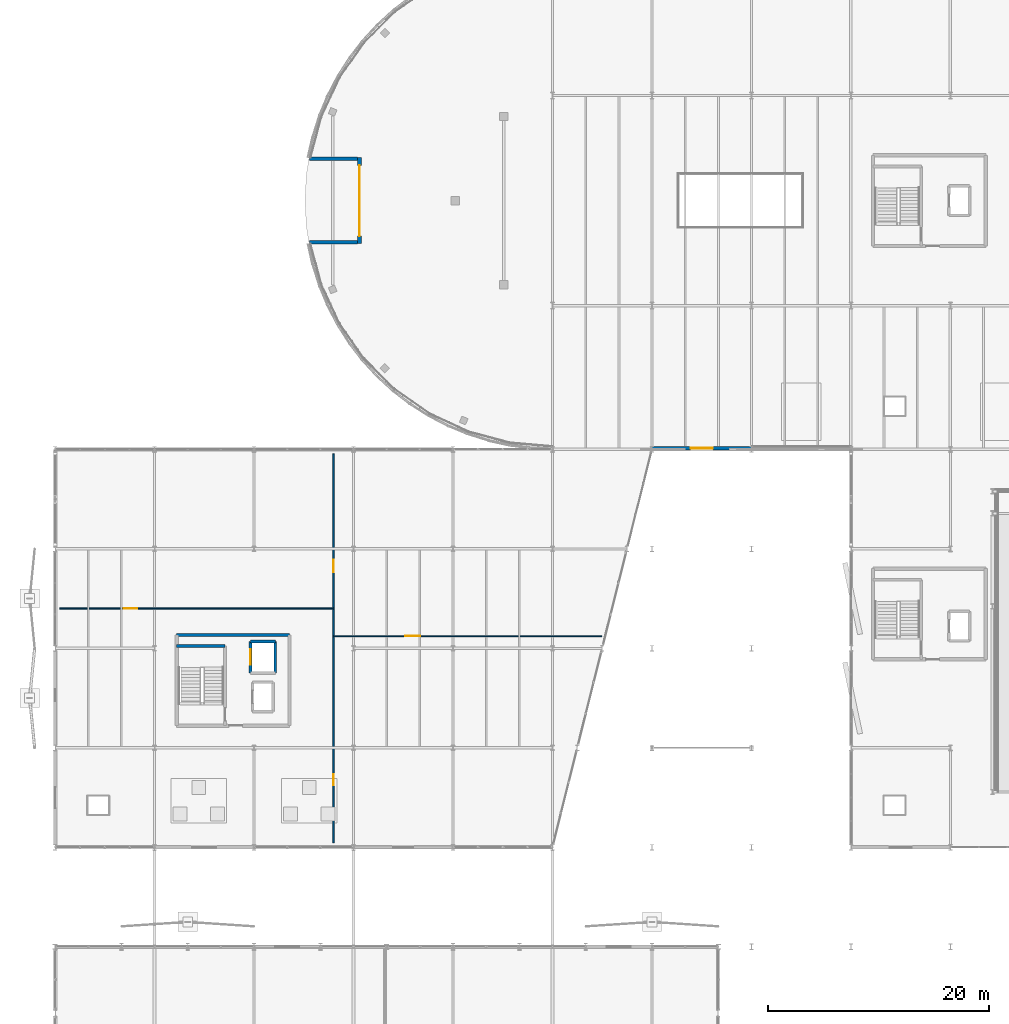
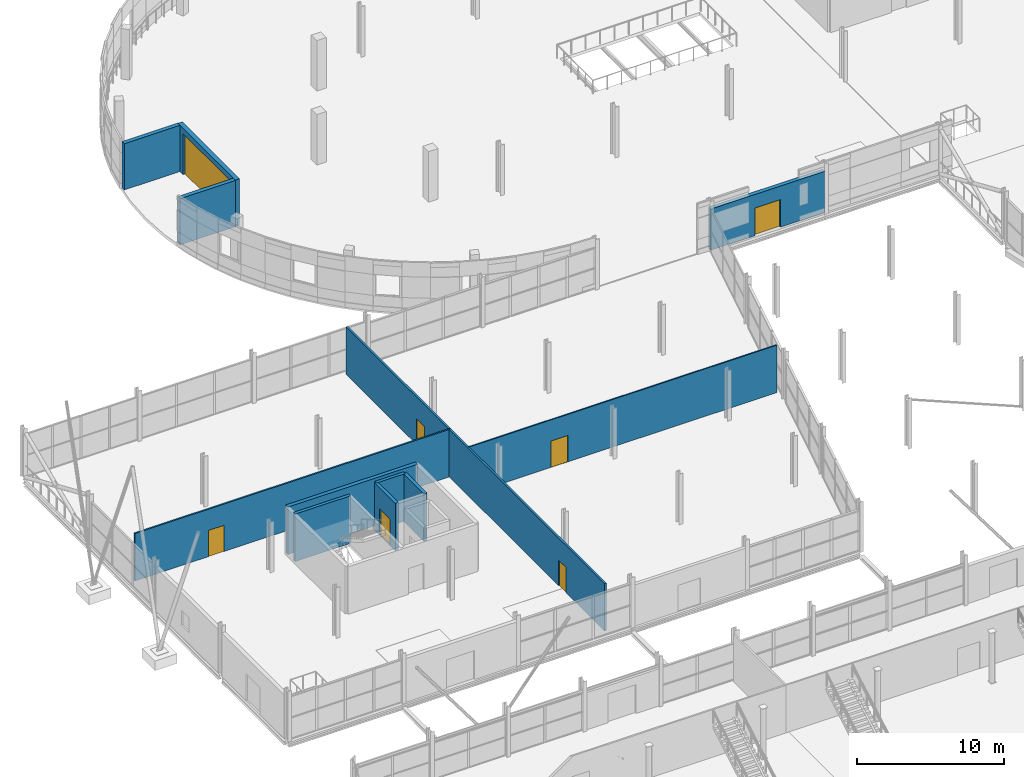
# One storey, part 121 of 140: 12 walls, 7 doors, 7 openings.
"""IFC4 building model written with IfcOpenShell, lengths in metres."""

from ifc_helpers import new_model, si_unit, direction, frame, frame_2d, origin, place, context, subcontext, project, spatial, rectangle, extrude, material, layer, layer_set, type_object, element, fill, save


model = new_model("IFC4")

# Units and contexts
model_context = context("Model", 3, precision=1e-05, world=origin(), true_north=direction((0.0, 1.0)))
body_context = subcontext(model_context, "Body", "Model", "MODEL_VIEW")
ifc_project = project(units=[si_unit("LENGTHUNIT", "METRE"), si_unit("AREAUNIT", "SQUARE_METRE"), si_unit("VOLUMEUNIT", "CUBIC_METRE"), si_unit("PLANEANGLEUNIT", "RADIAN"), si_unit("MASSUNIT", "GRAM", prefix="KILO")], contexts=[model_context])

# Site, building, storey
site_placement = place(None, origin())
site = spatial("IfcSite", under=ifc_project, at=site_placement, CompositionType="ELEMENT")
building_placement = place(site_placement, origin())
building = spatial("IfcBuilding", under=site, at=building_placement, Name="Deido Ridge Mobility Hub", CompositionType="ELEMENT")
storey_placement = place(building_placement, origin())
storey = spatial("IfcBuildingStorey", under=building, at=storey_placement, Name="L00", CompositionType="ELEMENT", Elevation=0.0)

# Walls
ifc_material_1 = material(Name="Fired clay brick masonry", Category="masonry")
ifc_layer_1 = layer(ifc_material_1, 0.31005859375, Name="Fired clay brick masonry")
ifc_layer_set_1 = layer_set([ifc_layer_1], Name="Fired clay brick masonry")
wall_type_1 = type_object("IfcWallType", Name="WL-EXT-BRK-310", PredefinedType="STANDARD", material=ifc_layer_set_1)
for number, where, z_axis, x_axis, name in (
    (1, (23.0, 99.719970703125, 0.0), (0.0, 0.0, 1.0), (1.0, 0.0, 0.0), "West portal vestibule cheek wall"),
    (2, (23.0, 107.280029296875, 0.0), (0.0, 0.0, 1.0), (1.0, 0.0, 0.0), "West portal vestibule cheek wall"),
):
    element("IfcWall", number, at=place(storey_placement, frame(where, z_axis=z_axis, x_axis=x_axis)), inside=storey, type_object=wall_type_1, Name=name, PredefinedType="STANDARD", context=body_context, shape_type="SweptSolid", body=[
        extrude(rectangle(XDim=4.3798828125, YDim=0.31005859375, at=frame_2d((2.18994140625, 0.0))), origin(), (0.0, 0.0, 1.0), 3.85009765625),
    ])

# Wall, opening, door
wall_1_placement = place(storey_placement, frame((54.0, 81.10009765625, 0.0), z_axis=(0.0, 0.0, 1.0), x_axis=(1.0, 0.0, 0.0)))
wall_1 = element("IfcWall", 3, at=wall_1_placement, inside=storey, type_object=wall_type_1, Name="Exterior wall EW1", PredefinedType="STANDARD", context=body_context, shape_type="SweptSolid", body=[
    extrude(rectangle(XDim=9.0, YDim=0.31005859375, at=frame_2d((4.5, 0.0))), origin(), (0.0, 0.0, 1.0), 3.425048828125),
])
opening_1_placement = place(wall_1_placement, frame((3.5, 0.0, 0.0)))
opening_1 = element("IfcOpeningElement", 4, at=opening_1_placement, cuts=wall_1, Name="Opening E6", PredefinedType="OPENING", context=body_context, shape_type="SweptSolid", body=[
    extrude(rectangle(XDim=2.0, YDim=2.300048828125, at=frame_2d((1.0, 1.14990234375))), frame((0.0, 0.1650390625, 0.0), z_axis=(0.0, -1.0, 0.0), x_axis=(1.0, 0.0, 0.0)), (0.0, 0.0, 1.0), 0.330078125),
])
ifc_material_2 = material(Name="Anodised aluminium EN AW-6063 T6", Category="aluminium")
door_type_1 = type_object("IfcDoorType", Name="DR-EXT-2000X2300", OperationType="DOUBLE_DOOR_SINGLE_SWING", PredefinedType="DOOR", material=ifc_material_2)
door_1_placement = place(opening_1_placement, frame((2.0, 0.0, 0.0), z_axis=(0.0, 0.0, 1.0), x_axis=(-1.0, 0.0, 0.0)))
door_1 = element("IfcDoor", 5, at=door_1_placement, inside=storey, type_object=door_type_1, Name="DR-E0013 Final exit door E6", OperationType="DOUBLE_DOOR_SINGLE_SWING", OverallHeight=2.300048828125, OverallWidth=2.0, PredefinedType="DOOR", context=body_context, shape_type="SweptSolid", body=[
    extrude(rectangle(XDim=2.0, YDim=2.300048828125, at=frame_2d((1.0, 1.14990234375))), frame((0.0, 0.02490234375, 0.0), z_axis=(0.0, -1.0, 0.0), x_axis=(1.0, 0.0, 0.0)), (0.0, 0.0, 1.0), 0.050048828125),
])
fill(opening_1, door_1)

ifc_material_3 = material(Name="Concrete C35/45", Category="concrete")
ifc_layer_2 = layer(ifc_material_3, 0.340087890625, Name="Concrete C35/45")
ifc_layer_set_2 = layer_set([ifc_layer_2], Name="Concrete C35/45")
wall_type_2 = type_object("IfcWallType", Name="WL-EXT-RC-340", PredefinedType="STANDARD", material=ifc_layer_set_2)
wall_2_placement = place(storey_placement, frame((27.550048828125, 99.60009765625, 0.0), z_axis=(0.0, 0.0, 1.0), x_axis=(0.0, 1.0, 0.0)))
wall_2 = element("IfcWall", 6, at=wall_2_placement, inside=storey, type_object=wall_type_2, Name="West arched portal throat wall", PredefinedType="STANDARD", context=body_context, shape_type="SweptSolid", body=[
    extrude(rectangle(XDim=7.7998046875, YDim=0.340087890625, at=frame_2d((3.89990234375, 0.0))), origin(), (0.0, 0.0, 1.0), 3.85009765625),
])
opening_2_placement = place(wall_2_placement, frame((0.699951171875, 0.0, 0.0)))
opening_2 = element("IfcOpeningElement", 7, at=opening_2_placement, cuts=wall_2, Name="Opening VG1", PredefinedType="OPENING", context=body_context, shape_type="SweptSolid", body=[
    extrude(rectangle(XDim=6.39990234375, YDim=3.39990234375, at=frame_2d((3.199951171875, 1.699951171875))), frame((0.0, 0.18017578125, 0.0), z_axis=(0.0, -1.0, 0.0), x_axis=(1.0, 0.0, 0.0)), (0.0, 0.0, 1.0), 0.360107421875),
])
ifc_material_4 = material(Name="Galvanised steel work", Category="steel")
door_type_2 = type_object("IfcDoorType", Name="DR-VEH-6400X3400", OperationType="ROLLINGUP", PredefinedType="USERDEFINED", material=ifc_material_4)
door_2_placement = place(opening_2_placement, origin())
door_2 = element("IfcDoor", 8, at=door_2_placement, inside=storey, type_object=door_type_2, Name="DR-E0011 West vehicle entrance roller shutter VG1", ObjectType="VEHICLE SHUTTER", OperationType="ROLLINGUP", OverallHeight=3.39990234375, OverallWidth=6.39990234375, PredefinedType="USERDEFINED", context=body_context, shape_type="SweptSolid", body=[
    extrude(rectangle(XDim=6.39990234375, YDim=3.39990234375, at=frame_2d((3.199951171875, 1.699951171875))), frame((0.0, 0.02490234375, 0.0), z_axis=(0.0, -1.0, 0.0), x_axis=(1.0, 0.0, 0.0)), (0.0, 0.0, 1.0), 0.050048828125),
])
fill(opening_2, door_2)

ifc_material_5 = material(Name="Concrete blockwork masonry", Category="masonry")
ifc_layer_3 = layer(ifc_material_5, 0.10009765625, Name="Concrete blockwork masonry")
ifc_layer_set_3 = layer_set([ifc_layer_3], Name="Concrete blockwork masonry")
wall_type_3 = type_object("IfcWallType", Name="WL-PRT-BLK-100", PredefinedType="PARTITIONING", material=ifc_layer_set_3)
wall_3_placement = place(storey_placement, frame((25.199951171875, 64.10009765625, 0.0), z_axis=(0.0, 0.0, 1.0), x_axis=(1.0, 0.0, 0.0)))
wall_3 = element("IfcWall", 9, at=wall_3_placement, inside=storey, type_object=wall_type_3, Name="V5 east cross partition (L00)", PredefinedType="PARTITIONING", context=body_context, shape_type="SweptSolid", body=[
    extrude(rectangle(XDim=24.275146484375, YDim=0.10009765625, at=frame_2d((12.1376953125, 0.0))), origin(), (0.0, 0.0, 1.0), 3.949951171875),
])
opening_3_placement = place(wall_3_placement, frame((6.5, 0.0, 0.0)))
opening_3 = element("IfcOpeningElement", 10, at=opening_3_placement, cuts=wall_3, Name="Opening DR-L00-206", PredefinedType="OPENING", context=body_context, shape_type="SweptSolid", body=[
    extrude(rectangle(XDim=1.320068359375, YDim=2.199951171875, at=frame_2d((0.66015625, 1.10009765625))), frame((0.0, 0.06005859375, 0.0), z_axis=(0.0, -1.0, 0.0), x_axis=(1.0, 0.0, 0.0)), (0.0, 0.0, 1.0), 0.1201171875),
])
ifc_material_6 = material(Name="Treated tropical hardwood timber D40", Category="wood")
door_type_3 = type_object("IfcDoorType", Name="DR-INT-1320X2200", OperationType="NOTDEFINED", PredefinedType="DOOR", material=ifc_material_6)
door_3_placement = place(opening_3_placement, origin())
door_3 = element("IfcDoor", 11, at=door_3_placement, inside=storey, type_object=door_type_3, Name="DR-I0206 V5 east cross door (L00)", OperationType="SINGLE_SWING_LEFT", OverallHeight=2.199951171875, OverallWidth=1.320068359375, PredefinedType="DOOR", context=body_context, shape_type="SweptSolid", body=[
    extrude(rectangle(XDim=1.320068359375, YDim=2.199951171875, at=frame_2d((0.66015625, 1.10009765625))), frame((0.0, 0.02490234375, 0.0), z_axis=(0.0, -1.0, 0.0), x_axis=(1.0, 0.0, 0.0)), (0.0, 0.0, 1.0), 0.050048828125),
])
fill(opening_3, door_3)

ifc_layer_4 = layer(ifc_material_5, 0.1201171875, Name="Concrete blockwork masonry")
ifc_layer_set_4 = layer_set([ifc_layer_4], Name="Concrete blockwork masonry")
wall_type_4 = type_object("IfcWallType", Name="WL-PRT-BLK-120", PredefinedType="PARTITIONING", material=ifc_layer_set_4)
wall_4_placement = place(storey_placement, frame((0.39990234375, 66.60009765625, 0.0), z_axis=(0.0, 0.0, 1.0), x_axis=(1.0, 0.0, 0.0)))
wall_4 = element("IfcWall", 12, at=wall_4_placement, inside=storey, type_object=wall_type_4, Name="V5 west cross partition (L00)", PredefinedType="PARTITIONING", context=body_context, shape_type="SweptSolid", body=[
    extrude(rectangle(XDim=24.800048828125, YDim=0.1201171875, at=frame_2d((12.39990234375, 0.0))), origin(), (0.0, 0.0, 1.0), 3.949951171875),
])
opening_4_placement = place(wall_4_placement, frame((5.800048828125, 0.0, 0.0)))
opening_4 = element("IfcOpeningElement", 13, at=opening_4_placement, cuts=wall_4, Name="Opening DR-L00-205", PredefinedType="OPENING", context=body_context, shape_type="SweptSolid", body=[
    extrude(rectangle(XDim=1.219970703125, YDim=2.179931640625, at=frame_2d((0.60986328125, 1.08984375))), frame((0.0, 0.070068359375, 0.0), z_axis=(0.0, -1.0, 0.0), x_axis=(1.0, 0.0, 0.0)), (0.0, 0.0, 1.0), 0.14013671875),
])
door_type_4 = type_object("IfcDoorType", Name="DR-INT-1220X2180", OperationType="NOTDEFINED", PredefinedType="DOOR", material=ifc_material_6)
door_4_placement = place(opening_4_placement, origin())
door_4 = element("IfcDoor", 14, at=door_4_placement, inside=storey, type_object=door_type_4, Name="DR-I0205 V5 west cross door (L00)", OperationType="SINGLE_SWING_RIGHT", OverallHeight=2.179931640625, OverallWidth=1.219970703125, PredefinedType="DOOR", context=body_context, shape_type="SweptSolid", body=[
    extrude(rectangle(XDim=1.219970703125, YDim=2.179931640625, at=frame_2d((0.60986328125, 1.08984375))), frame((0.0, 0.02490234375, 0.0), z_axis=(0.0, -1.0, 0.0), x_axis=(1.0, 0.0, 0.0)), (0.0, 0.0, 1.0), 0.050048828125),
])
fill(opening_4, door_4)

# Wall, openings, doors
ifc_layer_5 = layer(ifc_material_5, 0.14990234375, Name="Concrete blockwork masonry")
ifc_layer_set_5 = layer_set([ifc_layer_5], Name="Concrete blockwork masonry")
wall_type_5 = type_object("IfcWallType", Name="WL-PRT-BLK-150", PredefinedType="PARTITIONING", material=ifc_layer_set_5)
wall_5_placement = place(storey_placement, frame((25.199951171875, 45.39990234375, 0.0), z_axis=(0.0, 0.0, 1.0), x_axis=(0.0, 1.0, 0.0)))
wall_5 = element("IfcWall", 15, at=wall_5_placement, inside=storey, type_object=wall_type_5, Name="V5 hall longitudinal partition (L00)", PredefinedType="PARTITIONING", context=body_context, shape_type="SweptSolid", body=[
    extrude(rectangle(XDim=35.2001953125, YDim=0.14990234375, at=frame_2d((17.60009765625, 0.0))), origin(), (0.0, 0.0, 1.0), 3.949951171875),
])
opening_5_placement = place(wall_5_placement, frame((5.199951171875, 0.0, 0.0)))
opening_5 = element("IfcOpeningElement", 16, at=opening_5_placement, cuts=wall_5, Name="Opening DR-L00-203", PredefinedType="OPENING", context=body_context, shape_type="SweptSolid", body=[
    extrude(rectangle(XDim=1.02001953125, YDim=2.1201171875, at=frame_2d((0.510009765625, 1.06005859375))), frame((0.0, 0.0849609375, 0.0), z_axis=(0.0, -1.0, 0.0), x_axis=(1.0, 0.0, 0.0)), (0.0, 0.0, 1.0), 0.169921875),
])
opening_6_placement = place(wall_5_placement, frame((24.5, 0.0, 0.0)))
opening_6 = element("IfcOpeningElement", 17, at=opening_6_placement, cuts=wall_5, Name="Opening DR-L00-204", PredefinedType="OPENING", context=body_context, shape_type="SweptSolid", body=[
    extrude(rectangle(XDim=1.1201171875, YDim=2.14990234375, at=frame_2d((0.56005859375, 1.074951171875))), frame((0.0, 0.0849609375, 0.0), z_axis=(0.0, -1.0, 0.0), x_axis=(1.0, 0.0, 0.0)), (0.0, 0.0, 1.0), 0.169921875),
])
door_type_5 = type_object("IfcDoorType", Name="DR-INT-1020X2120", OperationType="NOTDEFINED", PredefinedType="DOOR", material=ifc_material_6)
door_5_placement = place(opening_5_placement, origin())
door_5 = element("IfcDoor", 18, at=door_5_placement, inside=storey, type_object=door_type_5, Name="DR-I0203 V5 south hall door (L00)", OperationType="SINGLE_SWING_RIGHT", OverallHeight=2.1201171875, OverallWidth=1.02001953125, PredefinedType="DOOR", context=body_context, shape_type="SweptSolid", body=[
    extrude(rectangle(XDim=1.02001953125, YDim=2.1201171875, at=frame_2d((0.510009765625, 1.06005859375))), frame((0.0, 0.02490234375, 0.0), z_axis=(0.0, -1.0, 0.0), x_axis=(1.0, 0.0, 0.0)), (0.0, 0.0, 1.0), 0.050048828125),
])
fill(opening_5, door_5)
door_type_6 = type_object("IfcDoorType", Name="DR-INT-1120X2150", OperationType="NOTDEFINED", PredefinedType="DOOR", material=ifc_material_6)
door_6_placement = place(opening_6_placement, origin())
door_6 = element("IfcDoor", 19, at=door_6_placement, inside=storey, type_object=door_type_6, Name="DR-I0204 V5 north hall door (L00)", OperationType="SINGLE_SWING_LEFT", OverallHeight=2.14990234375, OverallWidth=1.1201171875, PredefinedType="DOOR", context=body_context, shape_type="SweptSolid", body=[
    extrude(rectangle(XDim=1.1201171875, YDim=2.14990234375, at=frame_2d((0.56005859375, 1.074951171875))), frame((0.0, 0.02490234375, 0.0), z_axis=(0.0, -1.0, 0.0), x_axis=(1.0, 0.0, 0.0)), (0.0, 0.0, 1.0), 0.050048828125),
])
fill(opening_6, door_6)

# Walls
ifc_material_7 = material(Name="Concrete C40/50", Category="concrete")
ifc_layer_6 = layer(ifc_material_7, 0.25, Name="Concrete C40/50")
ifc_layer_set_6 = layer_set([ifc_layer_6], Name="Concrete C40/50")
wall_type_6 = type_object("IfcWallType", Name="WL-SHR-RC-250", PredefinedType="SHEAR", material=ifc_layer_set_6)
wall_6_placement = place(storey_placement, frame((11.0, 63.199951171875, 0.0), z_axis=(0.0, 0.0, 1.0), x_axis=(1.0, 0.0, 0.0)))
element("IfcWall", 20, at=wall_6_placement, inside=storey, type_object=wall_type_6, Name="C6 stair shaft north wall", PredefinedType="SHEAR", context=body_context, shape_type="SweptSolid", body=[
    extrude(rectangle(XDim=4.360107421875, YDim=0.25, at=frame_2d((2.18017578125, 0.0))), origin(), (0.0, 0.0, 1.0), 3.949951171875),
])
wall_7_placement = place(storey_placement, frame((17.675048828125, 63.625, 0.0), z_axis=(0.0, 0.0, 1.0), x_axis=(1.0, 0.0, 0.0)))
element("IfcWall", 21, at=wall_7_placement, inside=storey, type_object=wall_type_6, Name="Lift GL2 north shaft wall", PredefinedType="SHEAR", context=body_context, shape_type="SweptSolid", body=[
    extrude(rectangle(XDim=2.25, YDim=0.25, at=frame_2d((1.125, 0.0))), origin(), (0.0, 0.0, 1.0), 3.949951171875),
])
wall_8_placement = place(storey_placement, frame((19.925048828125, 60.77490234375, 0.0), z_axis=(0.0, 0.0, 1.0), x_axis=(0.0, 1.0, 0.0)))
element("IfcWall", 22, at=wall_8_placement, inside=storey, type_object=wall_type_6, Name="Lift GL2 rear shaft wall", PredefinedType="SHEAR", context=body_context, shape_type="SweptSolid", body=[
    extrude(rectangle(XDim=2.85009765625, YDim=0.25, at=frame_2d((1.425048828125, 0.0))), origin(), (0.0, 0.0, 1.0), 3.949951171875),
])

# Wall, opening, door
wall_9_placement = place(storey_placement, frame((17.675048828125, 60.77490234375, 0.0), z_axis=(0.0, 0.0, 1.0), x_axis=(0.0, 1.0, 0.0)))
wall_9 = element("IfcWall", 23, at=wall_9_placement, inside=storey, type_object=wall_type_6, Name="Lift GL2 landing wall", PredefinedType="SHEAR", context=body_context, shape_type="SweptSolid", body=[
    extrude(rectangle(XDim=2.85009765625, YDim=0.25, at=frame_2d((1.425048828125, 0.0))), origin(), (0.0, 0.0, 1.0), 3.949951171875),
])
opening_7_placement = place(wall_9_placement, frame((0.72509765625, 0.0, 0.0)))
opening_7 = element("IfcOpeningElement", 24, at=opening_7_placement, cuts=wall_9, Name="Opening LD-GL2", PredefinedType="OPENING", context=body_context, shape_type="SweptSolid", body=[
    extrude(rectangle(XDim=1.39990234375, YDim=2.199951171875, at=frame_2d((0.699951171875, 1.10009765625))), frame((0.0, 0.135009765625, 0.0), z_axis=(0.0, -1.0, 0.0), x_axis=(1.0, 0.0, 0.0)), (0.0, 0.0, 1.0), 0.27001953125),
])
ifc_material_8 = material(Name="Stainless steel 316", Category="steel")
door_type_7 = type_object("IfcDoorType", Name="DR-LND-GDS-1400X2200", OperationType="DOUBLE_DOOR_SLIDING", PredefinedType="USERDEFINED", material=ifc_material_8)
door_7_placement = place(opening_7_placement, origin())
door_7 = element("IfcDoor", 25, at=door_7_placement, inside=storey, type_object=door_type_7, Name="DR-I0125 Lift GL2 sliding landing door (L00)", ObjectType="LANDING DOOR", OperationType="DOUBLE_DOOR_SLIDING", OverallHeight=2.199951171875, OverallWidth=1.39990234375, PredefinedType="USERDEFINED", context=body_context, shape_type="SweptSolid", body=[
    extrude(rectangle(XDim=1.39990234375, YDim=2.199951171875, at=frame_2d((0.699951171875, 1.10009765625))), frame((0.0, 0.02490234375, 0.0), z_axis=(0.0, -1.0, 0.0), x_axis=(1.0, 0.0, 0.0)), (0.0, 0.0, 1.0), 0.050048828125),
])
fill(opening_7, door_7)

# Wall
ifc_layer_7 = layer(ifc_material_7, 0.300048828125, Name="Concrete C40/50")
ifc_layer_set_7 = layer_set([ifc_layer_7], Name="Concrete C40/50")
wall_type_7 = type_object("IfcWallType", Name="WL-SHR-RC-300", PredefinedType="SHEAR", material=ifc_layer_set_7)
wall_10_placement = place(storey_placement, frame((21.199951171875, 64.199951171875, 0.0), z_axis=(0.0, 0.0, 1.0), x_axis=(-1.0, 0.0, 0.0)))
element("IfcWall", 26, at=wall_10_placement, inside=storey, type_object=wall_type_7, Name="C6 north shear wall", PredefinedType="SHEAR", context=body_context, shape_type="SweptSolid", body=[
    extrude(rectangle(XDim=10.199951171875, YDim=0.300048828125, at=frame_2d((5.10009765625, 0.0))), origin(), (0.0, 0.0, 1.0), 3.949951171875),
])

save(model, "model.ifc")
